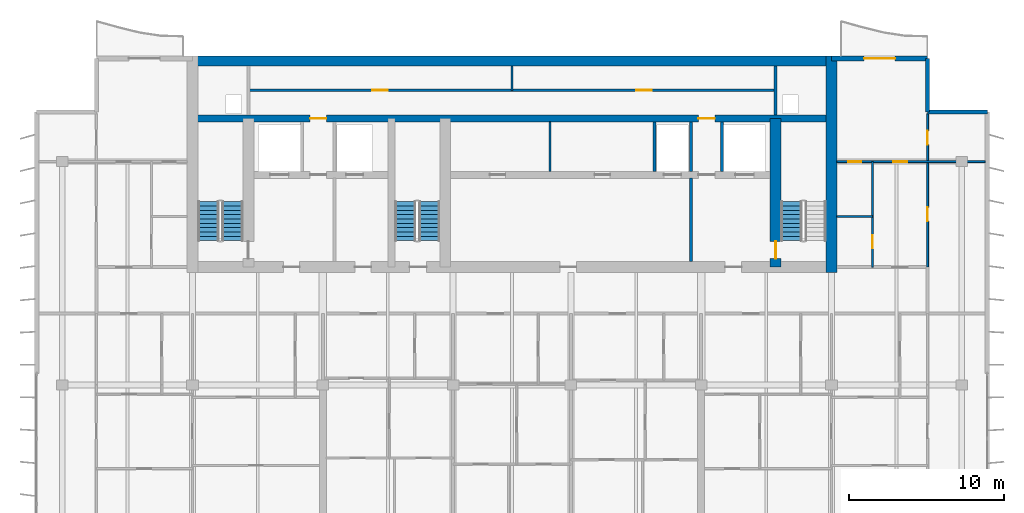
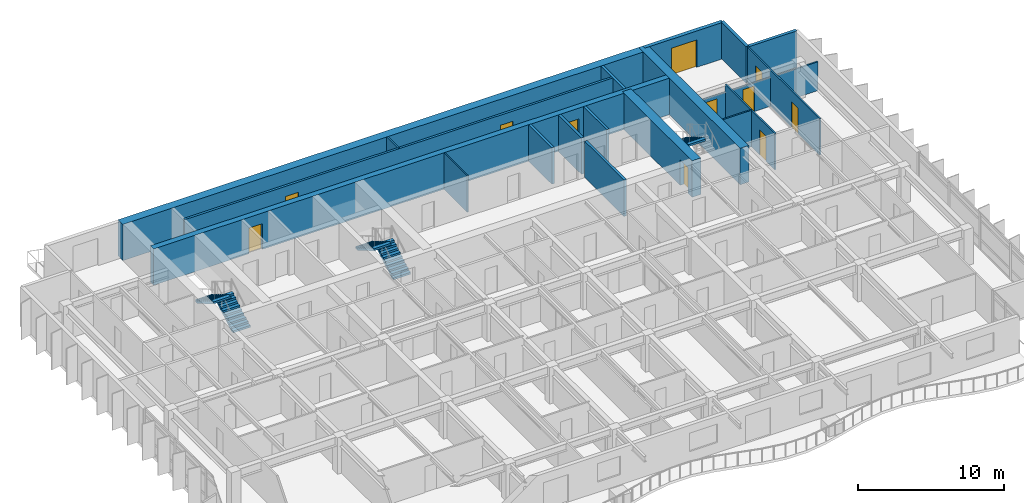
# One storey, part 10 of 16: 19 walls, 11 doors, 5 stair flights, 11 openings, 3 elements without a shape of their own.
"""IFC4 building model written with IfcOpenShell, lengths in metres."""

from ifc_helpers import new_model, si_unit, direction, frame, frame_2d, origin, place, context, subcontext, project, spatial, polyline, rectangle, outline, extrude, material, layer, layer_set, type_object, element, fill, aggregate, save


model = new_model("IFC4")

# Units and contexts
model_context = context("Model", 3, precision=1e-05, world=origin(), true_north=direction((0.0, 1.0)))
body_context = subcontext(model_context, "Body", "Model", "MODEL_VIEW")
ifc_project = project(units=[si_unit("LENGTHUNIT", "METRE"), si_unit("AREAUNIT", "SQUARE_METRE"), si_unit("VOLUMEUNIT", "CUBIC_METRE"), si_unit("PLANEANGLEUNIT", "RADIAN"), si_unit("MASSUNIT", "GRAM", prefix="KILO")], contexts=[model_context])

# Site, building, storey
site_placement = place(None, origin())
site = spatial("IfcSite", under=ifc_project, at=site_placement, CompositionType="ELEMENT")
building_placement = place(site_placement, origin())
building = spatial("IfcBuilding", under=site, at=building_placement, Name="Caelmar Bay Residences", CompositionType="ELEMENT")
storey_placement = place(building_placement, frame((0.0, 0.0, 239.699951171875)))
storey = spatial("IfcBuildingStorey", under=building, at=storey_placement, Name="L67", CompositionType="ELEMENT", Elevation=239.699951171875)

# Wall
ifc_material_1 = material(Name="Concrete f'c 55 MPa (8,000 psi)", Category="concrete")
ifc_layer_1 = layer(ifc_material_1, 0.699951171875)
ifc_layer_set_1 = layer_set([ifc_layer_1], Name="Concrete f'c 55 MPa (8,000 psi)")
wall_type_1 = type_object("IfcWallType", Name="SW-COR-700", PredefinedType="SHEAR", material=ifc_layer_set_1)
wall_1_placement = place(storey_placement, frame((59.5, 36.64990234375, 0.0), z_axis=(0.0, 0.0, 1.0), x_axis=(0.0, 1.0, 0.0)))
element("IfcWall", 1, at=wall_1_placement, inside=storey, type_object=wall_type_1, Name="L67 Rear Core East Shear Wall", PredefinedType="SHEAR", context=body_context, shape_type="SweptSolid", body=[
    extrude(rectangle(XDim=13.9501953125, YDim=0.699951171875, at=frame_2d((6.97509765625, 0.0))), origin(), (0.0, 0.0, 1.0), 3.050048828125),
])

# Wall, opening, door
wall_2_placement = place(storey_placement, frame((55.89990234375, 37.0, 0.0), z_axis=(0.0, 0.0, 1.0), x_axis=(0.0, 1.0, 0.0)))
wall_2 = element("IfcWall", 2, at=wall_2_placement, inside=storey, type_object=wall_type_1, Name="L67 Core Structural Web Wall ST2W", PredefinedType="SHEAR", context=body_context, shape_type="SweptSolid", body=[
    extrude(rectangle(XDim=9.574951171875, YDim=0.699951171875, at=frame_2d((4.78759765625, 0.0))), origin(), (0.0, 0.0, 1.0), 3.050048828125),
])
opening_1_placement = place(wall_2_placement, frame((0.550048828125, 0.0, 0.0)))
opening_1 = element("IfcOpeningElement", 3, at=opening_1_placement, cuts=wall_2, Name="Opening D-L67-110", PredefinedType="OPENING", context=body_context, shape_type="SweptSolid", body=[
    extrude(rectangle(XDim=1.10009765625, YDim=2.14990234375, at=frame_2d((0.550048828125, 1.074951171875))), frame((0.0, 0.35986328125, 0.0), z_axis=(0.0, -1.0, 0.0), x_axis=(1.0, 0.0, 0.0)), (0.0, 0.0, 1.0), 0.719970703125),
])
ifc_material_2 = material(Name="Fire-rated steel and walnut architectural door assembly", Category="steel")
ifc_layer_2 = layer(ifc_material_2, 0.050048828125)
ifc_layer_set_2 = layer_set([ifc_layer_2], Name="Fire-rated steel and walnut architectural door assembly")
door_type_1 = type_object("IfcDoorType", Name="D-STAIR-1100", OperationType="NOTDEFINED", PredefinedType="DOOR", material=ifc_layer_set_2)
door_1_placement = place(opening_1_placement, origin())
door_1 = element("IfcDoor", 4, at=door_1_placement, inside=storey, type_object=door_type_1, Name="L67 Firefighting Lobby East Door", OperationType="SINGLE_SWING_LEFT", OverallHeight=2.14990234375, OverallWidth=1.10009765625, PredefinedType="DOOR", context=body_context, shape_type="SweptSolid", body=[
    extrude(rectangle(XDim=1.10009765625, YDim=2.14990234375, at=frame_2d((0.550048828125, 1.074951171875))), frame((0.0, 0.02490234375, 0.0), z_axis=(0.0, -1.0, 0.0), x_axis=(1.0, 0.0, 0.0)), (0.0, 0.0, 1.0), 0.050048828125),
])
fill(opening_1, door_1)

# Wall
ifc_layer_3 = layer(ifc_material_1, 0.64990234375)
ifc_layer_set_3 = layer_set([ifc_layer_3], Name="Concrete f'c 55 MPa (8,000 psi)")
wall_type_2 = type_object("IfcWallType", Name="SW-CORN-650", PredefinedType="SHEAR", material=ifc_layer_set_3)
wall_3_placement = place(storey_placement, frame((17.949951171875, 50.27490234375, 0.0), z_axis=(0.0, 0.0, 1.0), x_axis=(1.0, 0.0, 0.0)))
element("IfcWall", 5, at=wall_3_placement, inside=storey, type_object=wall_type_2, Name="L67 Rear Core North Shear Wall", PredefinedType="SHEAR", context=body_context, shape_type="SweptSolid", body=[
    extrude(rectangle(XDim=41.900146484375, YDim=0.64990234375, at=frame_2d((20.9501953125, 0.0))), origin(), (0.0, 0.0, 1.0), 3.050048828125),
])

# Wall, openings, doors
ifc_material_3 = material(Name="Concrete f'c 70 MPa (10,000 psi)", Category="concrete")
ifc_layer_4 = layer(ifc_material_3, 0.449951171875)
ifc_layer_set_4 = layer_set([ifc_layer_4], Name="Concrete f'c 70 MPa (10,000 psi)")
wall_type_3 = type_object("IfcWallType", Name="SW-WEB-450", PredefinedType="SHEAR", material=ifc_layer_set_4)
wall_4_placement = place(storey_placement, frame((18.300048828125, 46.574951171875, 0.0), z_axis=(0.0, 0.0, 1.0), x_axis=(1.0, 0.0, 0.0)))
wall_4 = element("IfcWall", 6, at=wall_4_placement, inside=storey, type_object=wall_type_3, Name="L67 Core Structural Web Wall SRVS", PredefinedType="SHEAR", context=body_context, shape_type="SweptSolid", body=[
    extrude(rectangle(XDim=41.199951171875, YDim=0.449951171875, at=frame_2d((20.60009765625, 0.0))), origin(), (0.0, 0.0, 1.0), 3.050048828125),
])
opening_2_placement = place(wall_4_placement, frame((7.574951171875, 0.0, 0.0)))
opening_2 = element("IfcOpeningElement", 7, at=opening_2_placement, cuts=wall_4, Name="Opening D-L67-116", PredefinedType="OPENING", context=body_context, shape_type="SweptSolid", body=[
    extrude(rectangle(XDim=1.050048828125, YDim=2.14990234375, at=frame_2d((0.52490234375, 1.074951171875))), frame((0.0, 0.23486328125, 0.0), z_axis=(0.0, -1.0, 0.0), x_axis=(1.0, 0.0, 0.0)), (0.0, 0.0, 1.0), 0.469970703125),
])
opening_3_placement = place(wall_4_placement, frame((32.625, 0.0, 0.0)))
opening_3 = element("IfcOpeningElement", 8, at=opening_3_placement, cuts=wall_4, Name="Opening D-L67-117", PredefinedType="OPENING", context=body_context, shape_type="SweptSolid", body=[
    extrude(rectangle(XDim=1.050048828125, YDim=2.14990234375, at=frame_2d((0.52490234375, 1.074951171875))), frame((0.0, 0.23486328125, 0.0), z_axis=(0.0, -1.0, 0.0), x_axis=(1.0, 0.0, 0.0)), (0.0, 0.0, 1.0), 0.469970703125),
])
ifc_layer_5 = layer(ifc_material_2, 0.050048828125)
ifc_layer_set_5 = layer_set([ifc_layer_5], Name="Fire-rated steel and walnut architectural door assembly")
door_type_2 = type_object("IfcDoorType", Name="D-FSAE-1050", OperationType="NOTDEFINED", PredefinedType="DOOR", material=ifc_layer_set_5)
door_2_placement = place(opening_2_placement, origin())
door_2 = element("IfcDoor", 9, at=door_2_placement, inside=storey, type_object=door_type_2, Name="L67 Core Service Corridor Door", OperationType="SINGLE_SWING_LEFT", OverallHeight=2.14990234375, OverallWidth=1.050048828125, PredefinedType="DOOR", context=body_context, shape_type="SweptSolid", body=[
    extrude(rectangle(XDim=1.050048828125, YDim=2.14990234375, at=frame_2d((0.52490234375, 1.074951171875))), frame((0.0, 0.02490234375, 0.0), z_axis=(0.0, -1.0, 0.0), x_axis=(1.0, 0.0, 0.0)), (0.0, 0.0, 1.0), 0.050048828125),
])
fill(opening_2, door_2)
door_3_placement = place(opening_3_placement, origin())
door_3 = element("IfcDoor", 10, at=door_3_placement, inside=storey, type_object=door_type_2, Name="L67 Core Service Corridor Door", OperationType="SINGLE_SWING_RIGHT", OverallHeight=2.14990234375, OverallWidth=1.050048828125, PredefinedType="DOOR", context=body_context, shape_type="SweptSolid", body=[
    extrude(rectangle(XDim=1.050048828125, YDim=2.14990234375, at=frame_2d((0.52490234375, 1.074951171875))), frame((0.0, 0.02490234375, 0.0), z_axis=(0.0, -1.0, 0.0), x_axis=(1.0, 0.0, 0.0)), (0.0, 0.0, 1.0), 0.050048828125),
])
fill(opening_3, door_3)

ifc_material_4 = material(Name="Double-stud acoustic fire-rated gypsum partition 180 mm")
ifc_layer_6 = layer(ifc_material_4, 0.179931640625)
ifc_layer_set_6 = layer_set([ifc_layer_6], Name="Double-stud acoustic fire-rated gypsum partition 180 mm")
wall_type_4 = type_object("IfcWallType", Name="W-COR-200", PredefinedType="PARTITIONING", material=ifc_layer_set_6)
wall_5_placement = place(storey_placement, frame((21.89990234375, 48.39990234375, 0.0), z_axis=(0.0, 0.0, 1.0), x_axis=(1.0, 0.0, 0.0)))
wall_5 = element("IfcWall", 11, at=wall_5_placement, inside=storey, type_object=wall_type_4, Name="L67 Partition Wall H091", PredefinedType="PARTITIONING", context=body_context, shape_type="SweptSolid", body=[
    extrude(rectangle(XDim=34.0, YDim=0.179931640625, at=frame_2d((17.0, 0.0))), origin(), (0.0, 0.0, 1.0), 3.050048828125),
])
opening_4_placement = place(wall_5_placement, frame((8.0, 0.0, 0.0)))
opening_4 = element("IfcOpeningElement", 12, at=opening_4_placement, cuts=wall_5, Name="Opening D-L67-118", PredefinedType="OPENING", context=body_context, shape_type="SweptSolid", body=[
    extrude(rectangle(XDim=1.0, YDim=2.199951171875, at=frame_2d((0.5, 1.10009765625))), frame((0.0, 0.099853515625, 0.0), z_axis=(0.0, -1.0, 0.0), x_axis=(1.0, 0.0, 0.0)), (0.0, 0.0, 1.0), 0.199951171875),
])
opening_5_placement = place(wall_5_placement, frame((25.0, 0.0, 0.0)))
opening_5 = element("IfcOpeningElement", 13, at=opening_5_placement, cuts=wall_5, Name="Opening D-L67-119", PredefinedType="OPENING", context=body_context, shape_type="SweptSolid", body=[
    extrude(rectangle(XDim=1.0, YDim=2.199951171875, at=frame_2d((0.5, 1.10009765625))), frame((0.0, 0.099853515625, 0.0), z_axis=(0.0, -1.0, 0.0), x_axis=(1.0, 0.0, 0.0)), (0.0, 0.0, 1.0), 0.199951171875),
])
ifc_layer_7 = layer(ifc_material_2, 0.050048828125)
ifc_layer_set_7 = layer_set([ifc_layer_7], Name="Fire-rated steel and walnut architectural door assembly")
door_type_3 = type_object("IfcDoorType", Name="D-UNIT-1000", OperationType="NOTDEFINED", PredefinedType="DOOR", material=ifc_layer_set_7)
door_4_placement = place(opening_4_placement, origin())
door_4 = element("IfcDoor", 14, at=door_4_placement, inside=storey, type_object=door_type_3, Name="L67 Building Management Office Door", OperationType="SINGLE_SWING_LEFT", OverallHeight=2.199951171875, OverallWidth=1.0, PredefinedType="DOOR", context=body_context, shape_type="SweptSolid", body=[
    extrude(rectangle(XDim=1.0, YDim=2.199951171875, at=frame_2d((0.5, 1.10009765625))), frame((0.0, 0.02490234375, 0.0), z_axis=(0.0, -1.0, 0.0), x_axis=(1.0, 0.0, 0.0)), (0.0, 0.0, 1.0), 0.050048828125),
])
fill(opening_4, door_4)
door_5_placement = place(opening_5_placement, origin())
door_5 = element("IfcDoor", 15, at=door_5_placement, inside=storey, type_object=door_type_3, Name="L67 Concierge Operations Office Door", OperationType="SINGLE_SWING_RIGHT", OverallHeight=2.199951171875, OverallWidth=1.0, PredefinedType="DOOR", context=body_context, shape_type="SweptSolid", body=[
    extrude(rectangle(XDim=1.0, YDim=2.199951171875, at=frame_2d((0.5, 1.10009765625))), frame((0.0, 0.02490234375, 0.0), z_axis=(0.0, -1.0, 0.0), x_axis=(1.0, 0.0, 0.0)), (0.0, 0.0, 1.0), 0.050048828125),
])
fill(opening_5, door_5)

# Walls
ifc_material_5 = material(Name="Precast concrete f'c 40 MPa (6,000 psi)", Category="concrete")
ifc_layer_8 = layer(ifc_material_5, 0.25)
ifc_layer_set_8 = layer_set([ifc_layer_8], Name="Precast concrete f'c 40 MPa (6,000 psi)")
wall_type_5 = type_object("IfcWallType", Name="W-EXT-250", PredefinedType="ELEMENTEDWALL", material=ifc_layer_set_8)
wall_6_placement = place(storey_placement, frame((65.699951171875, 50.449951171875, 0.0), z_axis=(0.0, 0.0, 1.0), x_axis=(0.0, -1.0, 0.0)))
element("IfcWall", 16, at=wall_6_placement, inside=storey, type_object=wall_type_5, Name="L67 NNE-V Notch Wall", PredefinedType="ELEMENTEDWALL", context=body_context, shape_type="SweptSolid", body=[
    extrude(rectangle(XDim=3.449951171875, YDim=0.25, at=frame_2d((1.72509765625, 0.0))), origin(), (0.0, 0.0, 1.0), 3.050048828125),
])
wall_7_placement = place(storey_placement, frame((65.699951171875, 47.0, 0.0), z_axis=(0.0, 0.0, 1.0), x_axis=(1.0, 0.0, 0.0)))
element("IfcWall", 17, at=wall_7_placement, inside=storey, type_object=wall_type_5, Name="L67 NNE-H Notch Wall", PredefinedType="ELEMENTEDWALL", context=body_context, shape_type="SweptSolid", body=[
    extrude(rectangle(XDim=3.85009765625, YDim=0.25, at=frame_2d((1.925048828125, 0.0))), origin(), (0.0, 0.0, 1.0), 3.050048828125),
])

# Wall, opening, door
ifc_layer_9 = layer(ifc_material_5, 0.300048828125)
ifc_layer_set_9 = layer_set([ifc_layer_9], Name="Precast concrete f'c 40 MPa (6,000 psi)")
wall_type_6 = type_object("IfcWallType", Name="W-EXT-300", PredefinedType="STANDARD", material=ifc_layer_set_9)
wall_8_placement = place(storey_placement, frame((59.5, 50.449951171875, 0.0), z_axis=(0.0, 0.0, 1.0), x_axis=(1.0, 0.0, 0.0)))
wall_8 = element("IfcWall", 18, at=wall_8_placement, inside=storey, type_object=wall_type_6, Name="L67 North-East Wing Exterior Wall", PredefinedType="STANDARD", context=body_context, shape_type="SweptSolid", body=[
    extrude(rectangle(XDim=6.199951171875, YDim=0.300048828125, at=frame_2d((3.10009765625, 0.0))), origin(), (0.0, 0.0, 1.0), 3.050048828125),
])
opening_6_placement = place(wall_8_placement, frame((2.10009765625, 0.0, 0.0)))
opening_6 = element("IfcOpeningElement", 19, at=opening_6_placement, cuts=wall_8, Name="Opening L67-BDNE", PredefinedType="OPENING", context=body_context, shape_type="SweptSolid", body=[
    extrude(rectangle(XDim=2.0, YDim=2.300048828125, at=frame_2d((1.0, 1.14990234375))), frame((0.0, 0.159912109375, 0.0), z_axis=(0.0, -1.0, 0.0), x_axis=(1.0, 0.0, 0.0)), (0.0, 0.0, 1.0), 0.320068359375),
])
ifc_material_6 = material(Name="Anodised bronze thermally broken sliding glass door", Category="glass")
ifc_layer_10 = layer(ifc_material_6, 0.050048828125)
ifc_layer_set_10 = layer_set([ifc_layer_10], Name="Anodised bronze thermally broken sliding glass door")
door_type_4 = type_object("IfcDoorType", Name="D-BAL-2000", OperationType="DOUBLE_DOOR_SLIDING", PredefinedType="DOOR", material=ifc_layer_set_10)
door_6_placement = place(opening_6_placement, origin())
door_6 = element("IfcDoor", 20, at=door_6_placement, inside=storey, type_object=door_type_4, Name="L67 North-East Balcony Door", OperationType="DOUBLE_DOOR_SLIDING", OverallHeight=2.300048828125, OverallWidth=2.0, PredefinedType="DOOR", context=body_context, shape_type="SweptSolid", body=[
    extrude(rectangle(XDim=2.0, YDim=2.300048828125, at=frame_2d((1.0, 1.14990234375))), frame((0.0, 0.02490234375, 0.0), z_axis=(0.0, -1.0, 0.0), x_axis=(1.0, 0.0, 0.0)), (0.0, 0.0, 1.0), 0.050048828125),
])
fill(opening_6, door_6)

# Walls
ifc_material_7 = material(Name="Fire-rated masonry and gypsum shaftliner assembly 200 mm", Category="masonry")
ifc_layer_11 = layer(ifc_material_7, 0.199951171875)
ifc_layer_set_11 = layer_set([ifc_layer_11], Name="Fire-rated masonry and gypsum shaftliner assembly 200 mm")
wall_type_7 = type_object("IfcWallType", Name="W-FSAE-200", PredefinedType="PARTITIONING", material=ifc_layer_set_11)
wall_9_placement = place(storey_placement, frame((48.10009765625, 43.169921875, 0.0), z_axis=(0.0, 0.0, 1.0), x_axis=(0.0, 1.0, 0.0)))
element("IfcWall", 21, at=wall_9_placement, inside=storey, type_object=wall_type_7, Name="L67 Partition Wall V041", PredefinedType="PARTITIONING", context=body_context, shape_type="SweptSolid", body=[
    extrude(rectangle(XDim=3.18505859375, YDim=0.199951171875, at=frame_2d((1.592529296875, 0.0))), origin(), (0.0, 0.0, 1.0), 3.050048828125),
])
wall_10_placement = place(storey_placement, frame((50.449951171875, 37.344970703125, 0.0), z_axis=(0.0, 0.0, 1.0), x_axis=(0.0, 1.0, 0.0)))
element("IfcWall", 22, at=wall_10_placement, inside=storey, type_object=wall_type_7, Name="L67 Partition Wall V043", PredefinedType="PARTITIONING", context=body_context, shape_type="SweptSolid", body=[
    extrude(rectangle(XDim=5.385009765625, YDim=0.199951171875, at=frame_2d((2.6923828125, 0.0))), origin(), (0.0, 0.0, 1.0), 3.050048828125),
])
for number, where, z_axis, x_axis, name in (
    (23, (50.449951171875, 43.169921875, 0.0), (0.0, 0.0, 1.0), (0.0, 1.0, 0.0), "L67 Partition Wall V044"),
    (24, (52.449951171875, 43.169921875, 0.0), (0.0, 0.0, 1.0), (0.0, 1.0, 0.0), "L67 Partition Wall V048"),
):
    element("IfcWall", number, at=place(storey_placement, frame(where, z_axis=z_axis, x_axis=x_axis)), inside=storey, type_object=wall_type_7, Name=name, PredefinedType="PARTITIONING", context=body_context, shape_type="SweptSolid", body=[
        extrude(rectangle(XDim=3.18505859375, YDim=0.199951171875, at=frame_2d((1.592529296875, 0.0))), origin(), (0.0, 0.0, 1.0), 3.050048828125),
    ])
wall_11_placement = place(storey_placement, frame((55.89990234375, 46.794921875, 0.0), z_axis=(0.0, 0.0, 1.0), x_axis=(0.0, 1.0, 0.0)))
element("IfcWall", 25, at=wall_11_placement, inside=storey, type_object=wall_type_7, Name="L67 Partition Wall V050", PredefinedType="PARTITIONING", context=body_context, shape_type="SweptSolid", body=[
    extrude(rectangle(XDim=3.16015625, YDim=0.199951171875, at=frame_2d((1.580078125, 0.0))), origin(), (0.0, 0.0, 1.0), 3.050048828125),
])
ifc_material_8 = material(Name="Anodised bronze framed acoustic sliding study partition 100 mm")
ifc_layer_12 = layer(ifc_material_8, 0.10009765625)
ifc_layer_set_12 = layer_set([ifc_layer_12], Name="Anodised bronze framed acoustic sliding study partition 100 mm")
wall_type_8 = type_object("IfcWallType", Name="W-MOV-100", PredefinedType="MOVABLE", material=ifc_layer_set_12)
wall_12_placement = place(storey_placement, frame((41.35009765625, 43.169921875, 0.0), z_axis=(0.0, 0.0, 1.0), x_axis=(0.0, 1.0, 0.0)))
element("IfcWall", 26, at=wall_12_placement, inside=storey, type_object=wall_type_8, Name="L67 Partition Wall V033", PredefinedType="MOVABLE", context=body_context, shape_type="SweptSolid", body=[
    extrude(rectangle(XDim=3.18505859375, YDim=0.10009765625, at=frame_2d((1.592529296875, 0.0))), origin(), (0.0, 0.0, 1.0), 3.050048828125),
])
ifc_material_9 = material(Name="Acoustic metal-stud gypsum partition 120 mm")
ifc_layer_13 = layer(ifc_material_9, 0.1201171875)
ifc_layer_set_13 = layer_set([ifc_layer_13], Name="Acoustic metal-stud gypsum partition 120 mm")
wall_type_9 = type_object("IfcWallType", Name="W-PRT-120", PredefinedType="PARTITIONING", material=ifc_layer_set_13)
wall_13_placement = place(storey_placement, frame((38.89990234375, 48.39990234375, 0.0), z_axis=(0.0, 0.0, 1.0), x_axis=(0.0, 1.0, 0.0)))
element("IfcWall", 27, at=wall_13_placement, inside=storey, type_object=wall_type_9, Name="L67 Partition Wall V030", PredefinedType="PARTITIONING", context=body_context, shape_type="SweptSolid", body=[
    extrude(rectangle(XDim=1.55517578125, YDim=0.1201171875, at=frame_2d((0.777587890625, 0.0))), origin(), (0.0, 0.0, 1.0), 3.050048828125),
])

# Wall, opening, door
wall_14_placement = place(storey_placement, frame((62.14990234375, 37.0, 0.0), z_axis=(0.0, 0.0, 1.0), x_axis=(0.0, 1.0, 0.0)))
wall_14 = element("IfcWall", 28, at=wall_14_placement, inside=storey, type_object=wall_type_9, Name="L67 Partition Wall V056", PredefinedType="PARTITIONING", context=body_context, shape_type="SweptSolid", body=[
    extrude(rectangle(XDim=6.800048828125, YDim=0.1201171875, at=frame_2d((3.39990234375, 0.0))), origin(), (0.0, 0.0, 1.0), 3.050048828125),
])
opening_7_placement = place(wall_14_placement, frame((1.20703125, 0.0, 0.0)))
opening_7 = element("IfcOpeningElement", 29, at=opening_7_placement, cuts=wall_14, Name="Opening D-L67-170", PredefinedType="OPENING", context=body_context, shape_type="SweptSolid", body=[
    extrude(rectangle(XDim=0.85009765625, YDim=2.10009765625, at=frame_2d((0.425048828125, 1.050048828125))), frame((0.0, 0.070068359375, 0.0), z_axis=(0.0, -1.0, 0.0), x_axis=(1.0, 0.0, 0.0)), (0.0, 0.0, 1.0), 0.14013671875),
])
ifc_material_10 = material(Name="Solid walnut timber interior door leaf and frame", Category="wood")
ifc_layer_14 = layer(ifc_material_10, 0.050048828125)
ifc_layer_set_14 = layer_set([ifc_layer_14], Name="Solid walnut timber interior door leaf and frame")
door_type_5 = type_object("IfcDoorType", Name="D-BATH-850", OperationType="NOTDEFINED", PredefinedType="DOOR", material=ifc_layer_set_14)
door_7_placement = place(opening_7_placement, origin())
door_7 = element("IfcDoor", 30, at=door_7_placement, inside=storey, type_object=door_type_5, Name="L67 Residence EA Walk-In Closet Door", OperationType="SINGLE_SWING_LEFT", OverallHeight=2.10009765625, OverallWidth=0.85009765625, PredefinedType="DOOR", context=body_context, shape_type="SweptSolid", body=[
    extrude(rectangle(XDim=0.85009765625, YDim=2.10009765625, at=frame_2d((0.425048828125, 1.050048828125))), frame((0.0, 0.02490234375, 0.0), z_axis=(0.0, -1.0, 0.0), x_axis=(1.0, 0.0, 0.0)), (0.0, 0.0, 1.0), 0.050048828125),
])
fill(opening_7, door_7)

# Wall, openings, doors
wall_15_placement = place(storey_placement, frame((65.699951171875, 37.0048828125, 0.0), z_axis=(0.0, 0.0, 1.0), x_axis=(0.0, 1.0, 0.0)))
wall_15 = element("IfcWall", 31, at=wall_15_placement, inside=storey, type_object=wall_type_9, Name="L67 Partition Wall V062", PredefinedType="PARTITIONING", context=body_context, shape_type="SweptSolid", body=[
    extrude(rectangle(XDim=9.875, YDim=0.1201171875, at=frame_2d((4.9375, 0.0))), origin(), (0.0, 0.0, 1.0), 3.050048828125),
])
opening_8_placement = place(wall_15_placement, frame((2.947509765625, 0.0, 0.0)))
opening_8 = element("IfcOpeningElement", 32, at=opening_8_placement, cuts=wall_15, Name="Opening D-L67-172", PredefinedType="OPENING", context=body_context, shape_type="SweptSolid", body=[
    extrude(rectangle(XDim=0.89990234375, YDim=2.14990234375, at=frame_2d((0.449951171875, 1.074951171875))), frame((0.0, 0.070068359375, 0.0), z_axis=(0.0, -1.0, 0.0), x_axis=(1.0, 0.0, 0.0)), (0.0, 0.0, 1.0), 0.14013671875),
])
opening_9_placement = place(wall_15_placement, frame((7.885009765625, 0.0, 0.0)))
opening_9 = element("IfcOpeningElement", 33, at=opening_9_placement, cuts=wall_15, Name="Opening D-L67-173", PredefinedType="OPENING", context=body_context, shape_type="SweptSolid", body=[
    extrude(rectangle(XDim=0.89990234375, YDim=2.14990234375, at=frame_2d((0.449951171875, 1.074951171875))), frame((0.0, 0.070068359375, 0.0), z_axis=(0.0, -1.0, 0.0), x_axis=(1.0, 0.0, 0.0)), (0.0, 0.0, 1.0), 0.14013671875),
])
ifc_layer_15 = layer(ifc_material_10, 0.050048828125)
ifc_layer_set_15 = layer_set([ifc_layer_15], Name="Solid walnut timber interior door leaf and frame")
door_type_6 = type_object("IfcDoorType", Name="D-ROOM-900", OperationType="NOTDEFINED", PredefinedType="DOOR", material=ifc_layer_set_15)
door_8_placement = place(opening_8_placement, origin())
door_8 = element("IfcDoor", 34, at=door_8_placement, inside=storey, type_object=door_type_6, Name="L67 Residence EA Sun Study Door", OperationType="SINGLE_SWING_LEFT", OverallHeight=2.14990234375, OverallWidth=0.89990234375, PredefinedType="DOOR", context=body_context, shape_type="SweptSolid", body=[
    extrude(rectangle(XDim=0.89990234375, YDim=2.14990234375, at=frame_2d((0.449951171875, 1.074951171875))), frame((0.0, 0.02490234375, 0.0), z_axis=(0.0, -1.0, 0.0), x_axis=(1.0, 0.0, 0.0)), (0.0, 0.0, 1.0), 0.050048828125),
])
fill(opening_8, door_8)
door_9_placement = place(opening_9_placement, origin())
door_9 = element("IfcDoor", 35, at=door_9_placement, inside=storey, type_object=door_type_6, Name="L67 Residence EA North Sitting Alcove Door", OperationType="SINGLE_SWING_RIGHT", OverallHeight=2.14990234375, OverallWidth=0.89990234375, PredefinedType="DOOR", context=body_context, shape_type="SweptSolid", body=[
    extrude(rectangle(XDim=0.89990234375, YDim=2.14990234375, at=frame_2d((0.449951171875, 1.074951171875))), frame((0.0, 0.02490234375, 0.0), z_axis=(0.0, -1.0, 0.0), x_axis=(1.0, 0.0, 0.0)), (0.0, 0.0, 1.0), 0.050048828125),
])
fill(opening_9, door_9)

# Wall
wall_16_placement = place(storey_placement, frame((59.844970703125, 40.263916015625, 0.0), z_axis=(0.0, 0.0, 1.0), x_axis=(1.0, 0.0, 0.0)))
element("IfcWall", 36, at=wall_16_placement, inside=storey, type_object=wall_type_9, Name="L67 Partition Wall H088", PredefinedType="PARTITIONING", context=body_context, shape_type="SweptSolid", body=[
    extrude(rectangle(XDim=2.304931640625, YDim=0.1201171875, at=frame_2d((1.15234375, 0.0))), origin(), (0.0, 0.0, 1.0), 3.050048828125),
])

# Wall, openings, doors
wall_17_placement = place(storey_placement, frame((59.844970703125, 43.800048828125, 0.0), z_axis=(0.0, 0.0, 1.0), x_axis=(1.0, 0.0, 0.0)))
wall_17 = element("IfcWall", 37, at=wall_17_placement, inside=storey, type_object=wall_type_9, Name="L67 Partition Wall H090", PredefinedType="PARTITIONING", context=body_context, shape_type="SweptSolid", body=[
    extrude(rectangle(XDim=9.56005859375, YDim=0.1201171875, at=frame_2d((4.780029296875, 0.0))), origin(), (0.0, 0.0, 1.0), 2.41796875),
])
opening_10_placement = place(wall_17_placement, frame((3.6298828125, 0.0, 0.0)))
opening_10 = element("IfcOpeningElement", 38, at=opening_10_placement, cuts=wall_17, Name="Opening D-L67-169", PredefinedType="OPENING", context=body_context, shape_type="SweptSolid", body=[
    extrude(rectangle(XDim=0.89990234375, YDim=2.14990234375, at=frame_2d((0.449951171875, 1.074951171875))), frame((0.0, 0.070068359375, 0.0), z_axis=(0.0, -1.0, 0.0), x_axis=(1.0, 0.0, 0.0)), (0.0, 0.0, 1.0), 0.14013671875),
])
opening_11_placement = place(wall_17_placement, frame((0.7275390625, 0.0, 0.0)))
opening_11 = element("IfcOpeningElement", 39, at=opening_11_placement, cuts=wall_17, Name="Opening D-L67-171", PredefinedType="OPENING", context=body_context, shape_type="SweptSolid", body=[
    extrude(rectangle(XDim=0.85009765625, YDim=2.10009765625, at=frame_2d((0.425048828125, 1.050048828125))), frame((0.0, 0.070068359375, 0.0), z_axis=(0.0, -1.0, 0.0), x_axis=(1.0, 0.0, 0.0)), (0.0, 0.0, 1.0), 0.14013671875),
])
door_10_placement = place(opening_11_placement, origin())
door_10 = element("IfcDoor", 40, at=door_10_placement, inside=storey, type_object=door_type_5, Name="L67 Residence EA Bathroom Door", OperationType="SINGLE_SWING_RIGHT", OverallHeight=2.10009765625, OverallWidth=0.85009765625, PredefinedType="DOOR", context=body_context, shape_type="SweptSolid", body=[
    extrude(rectangle(XDim=0.85009765625, YDim=2.10009765625, at=frame_2d((0.425048828125, 1.050048828125))), frame((0.0, 0.02490234375, 0.0), z_axis=(0.0, -1.0, 0.0), x_axis=(1.0, 0.0, 0.0)), (0.0, 0.0, 1.0), 0.050048828125),
])
fill(opening_11, door_10)
door_11_placement = place(opening_10_placement, origin())
door_11 = element("IfcDoor", 41, at=door_11_placement, inside=storey, type_object=door_type_6, Name="L67 Residence EA Studio Living and Sleeping Room Door", OperationType="SINGLE_SWING_RIGHT", OverallHeight=2.14990234375, OverallWidth=0.89990234375, PredefinedType="DOOR", context=body_context, shape_type="SweptSolid", body=[
    extrude(rectangle(XDim=0.89990234375, YDim=2.14990234375, at=frame_2d((0.449951171875, 1.074951171875))), frame((0.0, 0.02490234375, 0.0), z_axis=(0.0, -1.0, 0.0), x_axis=(1.0, 0.0, 0.0)), (0.0, 0.0, 1.0), 0.050048828125),
])
fill(opening_10, door_11)

# Stair, stair flights
ifc_material_11 = material(Name="Concrete f'c 40 MPa (6,000 psi)", Category="concrete")
stair_type = type_object("IfcStairType", Name="ST-TYP-165", PredefinedType="HALF_TURN_STAIR", material=ifc_material_11)
stair_1_placement = place(storey_placement, origin())
stair_1 = element("IfcStair", 42, at=stair_1_placement, inside=storey, type_object=stair_type, Name="L67 West Smokeproof Exit Stair ST1", PredefinedType="HALF_TURN_STAIR")
stair_flight_type = type_object("IfcStairFlightType", Name="STF-1350", PredefinedType="STRAIGHT", material=ifc_material_11)
stair_flight_1_placement = place(storey_placement, frame((20.875, 38.699951171875, 0.0), z_axis=(0.0, 0.0, 1.0), x_axis=(0.0, 1.0, 0.0)))
stair_flight_1 = element("IfcStairFlight", 43, at=stair_flight_1_placement, type_object=stair_flight_type, Name="ST1 flight 1", NumberOfRisers=10, NumberOfTreads=9, PredefinedType="STRAIGHT", RiserHeight=0.165, TreadLength=0.28, context=body_context, shape_type="SweptSolid", body=[
    extrude(outline(polyline([(0.0, 0.0), (0.0, 0.1650390625), (0.280029296875, 0.1650390625), (0.280029296875, 0.330078125), (0.56005859375, 0.330078125), (0.56005859375, 0.4951171875), (0.840087890625, 0.4951171875), (0.840087890625, 0.659912109375), (1.1201171875, 0.659912109375), (1.1201171875, 0.824951171875), (1.39990234375, 0.824951171875), (1.39990234375, 0.989990234375), (1.679931640625, 0.989990234375), (1.679931640625, 1.155029296875), (1.9599609375, 1.155029296875), (1.9599609375, 1.320068359375), (2.239990234375, 1.320068359375), (2.239990234375, 1.485107421875), (2.52001953125, 1.485107421875), (2.52001953125, 1.64990234375), (2.52001953125, 1.31103515625), (0.295166015625, 0.0), (0.0, 0.0)])), frame((0.0, 0.675048828125, 0.0), z_axis=(0.0, -1.0, 0.0), x_axis=(1.0, 0.0, 0.0)), (0.0, 0.0, 1.0), 1.35009765625),
])
stair_flight_2_placement = place(storey_placement, frame((19.324951171875, 41.219970703125, 1.650146484375), z_axis=(0.0, 0.0, 1.0), x_axis=(0.0, -1.0, 0.0)))
stair_flight_2 = element("IfcStairFlight", 44, at=stair_flight_2_placement, type_object=stair_flight_type, Name="ST1 flight 2", NumberOfRisers=10, NumberOfTreads=9, PredefinedType="STRAIGHT", RiserHeight=0.165, TreadLength=0.28, context=body_context, shape_type="SweptSolid", body=[
    extrude(outline(polyline([(0.0, 0.0), (0.0, 0.1650390625), (0.280029296875, 0.1650390625), (0.280029296875, 0.330078125), (0.56005859375, 0.330078125), (0.56005859375, 0.4951171875), (0.840087890625, 0.4951171875), (0.840087890625, 0.659912109375), (1.1201171875, 0.659912109375), (1.1201171875, 0.824951171875), (1.39990234375, 0.824951171875), (1.39990234375, 0.989990234375), (1.679931640625, 0.989990234375), (1.679931640625, 1.155029296875), (1.9599609375, 1.155029296875), (1.9599609375, 1.320068359375), (2.239990234375, 1.320068359375), (2.239990234375, 1.485107421875), (2.52001953125, 1.485107421875), (2.52001953125, 1.64990234375), (2.52001953125, 1.31103515625), (0.295166015625, 0.0), (0.0, 0.0)])), frame((0.0, 0.675048828125, 0.0), z_axis=(0.0, -1.0, 0.0), x_axis=(1.0, 0.0, 0.0)), (0.0, 0.0, 1.0), 1.35009765625),
])
aggregate(stair_1, [stair_flight_1, stair_flight_2])

# Stair, stair flight
stair_2_placement = place(storey_placement, origin())
stair_2 = element("IfcStair", 45, at=stair_2_placement, inside=storey, type_object=stair_type, Name="L67 East Smokeproof Exit Stair ST2", PredefinedType="HALF_TURN_STAIR")
stair_flight_3_placement = place(storey_placement, frame((56.925048828125, 41.219970703125, 1.650146484375), z_axis=(0.0, 0.0, 1.0), x_axis=(0.0, -1.0, 0.0)))
stair_flight_3 = element("IfcStairFlight", 46, at=stair_flight_3_placement, type_object=stair_flight_type, Name="ST2 flight 2", NumberOfRisers=10, NumberOfTreads=9, PredefinedType="STRAIGHT", RiserHeight=0.165, TreadLength=0.28, context=body_context, shape_type="SweptSolid", body=[
    extrude(outline(polyline([(0.0, 0.0), (0.0, 0.1650390625), (0.280029296875, 0.1650390625), (0.280029296875, 0.330078125), (0.56005859375, 0.330078125), (0.56005859375, 0.4951171875), (0.840087890625, 0.4951171875), (0.840087890625, 0.659912109375), (1.1201171875, 0.659912109375), (1.1201171875, 0.824951171875), (1.39990234375, 0.824951171875), (1.39990234375, 0.989990234375), (1.679931640625, 0.989990234375), (1.679931640625, 1.155029296875), (1.9599609375, 1.155029296875), (1.9599609375, 1.320068359375), (2.239990234375, 1.320068359375), (2.239990234375, 1.485107421875), (2.52001953125, 1.485107421875), (2.52001953125, 1.64990234375), (2.52001953125, 1.31103515625), (0.295166015625, 0.0), (0.0, 0.0)])), frame((0.0, 0.675048828125, 0.0), z_axis=(0.0, -1.0, 0.0), x_axis=(1.0, 0.0, 0.0)), (0.0, 0.0, 1.0), 1.35009765625),
])
aggregate(stair_2, [stair_flight_3])

# Stair, stair flights
stair_3_placement = place(storey_placement, origin())
stair_3 = element("IfcStair", 47, at=stair_3_placement, inside=storey, type_object=stair_type, Name="L67 Central Smokeproof Exit Stair ST3", PredefinedType="HALF_TURN_STAIR")
stair_flight_4_placement = place(storey_placement, frame((33.574951171875, 38.699951171875, 0.0), z_axis=(0.0, 0.0, 1.0), x_axis=(0.0, 1.0, 0.0)))
stair_flight_4 = element("IfcStairFlight", 48, at=stair_flight_4_placement, type_object=stair_flight_type, Name="ST3 flight 1", NumberOfRisers=10, NumberOfTreads=9, PredefinedType="STRAIGHT", RiserHeight=0.165, TreadLength=0.28, context=body_context, shape_type="SweptSolid", body=[
    extrude(outline(polyline([(0.0, 0.0), (0.0, 0.1650390625), (0.280029296875, 0.1650390625), (0.280029296875, 0.330078125), (0.56005859375, 0.330078125), (0.56005859375, 0.4951171875), (0.840087890625, 0.4951171875), (0.840087890625, 0.659912109375), (1.1201171875, 0.659912109375), (1.1201171875, 0.824951171875), (1.39990234375, 0.824951171875), (1.39990234375, 0.989990234375), (1.679931640625, 0.989990234375), (1.679931640625, 1.155029296875), (1.9599609375, 1.155029296875), (1.9599609375, 1.320068359375), (2.239990234375, 1.320068359375), (2.239990234375, 1.485107421875), (2.52001953125, 1.485107421875), (2.52001953125, 1.64990234375), (2.52001953125, 1.31103515625), (0.295166015625, 0.0), (0.0, 0.0)])), frame((0.0, 0.675048828125, 0.0), z_axis=(0.0, -1.0, 0.0), x_axis=(1.0, 0.0, 0.0)), (0.0, 0.0, 1.0), 1.35009765625),
])
stair_flight_5_placement = place(storey_placement, frame((32.02490234375, 41.219970703125, 1.650146484375), z_axis=(0.0, 0.0, 1.0), x_axis=(0.0, -1.0, 0.0)))
stair_flight_5 = element("IfcStairFlight", 49, at=stair_flight_5_placement, type_object=stair_flight_type, Name="ST3 flight 2", NumberOfRisers=10, NumberOfTreads=9, PredefinedType="STRAIGHT", RiserHeight=0.165, TreadLength=0.28, context=body_context, shape_type="SweptSolid", body=[
    extrude(outline(polyline([(0.0, 0.0), (0.0, 0.1650390625), (0.280029296875, 0.1650390625), (0.280029296875, 0.330078125), (0.56005859375, 0.330078125), (0.56005859375, 0.4951171875), (0.840087890625, 0.4951171875), (0.840087890625, 0.659912109375), (1.1201171875, 0.659912109375), (1.1201171875, 0.824951171875), (1.39990234375, 0.824951171875), (1.39990234375, 0.989990234375), (1.679931640625, 0.989990234375), (1.679931640625, 1.155029296875), (1.9599609375, 1.155029296875), (1.9599609375, 1.320068359375), (2.239990234375, 1.320068359375), (2.239990234375, 1.485107421875), (2.52001953125, 1.485107421875), (2.52001953125, 1.64990234375), (2.52001953125, 1.31103515625), (0.295166015625, 0.0), (0.0, 0.0)])), frame((0.0, 0.675048828125, 0.0), z_axis=(0.0, -1.0, 0.0), x_axis=(1.0, 0.0, 0.0)), (0.0, 0.0, 1.0), 1.35009765625),
])
aggregate(stair_3, [stair_flight_4, stair_flight_5])

save(model, "model.ifc")
